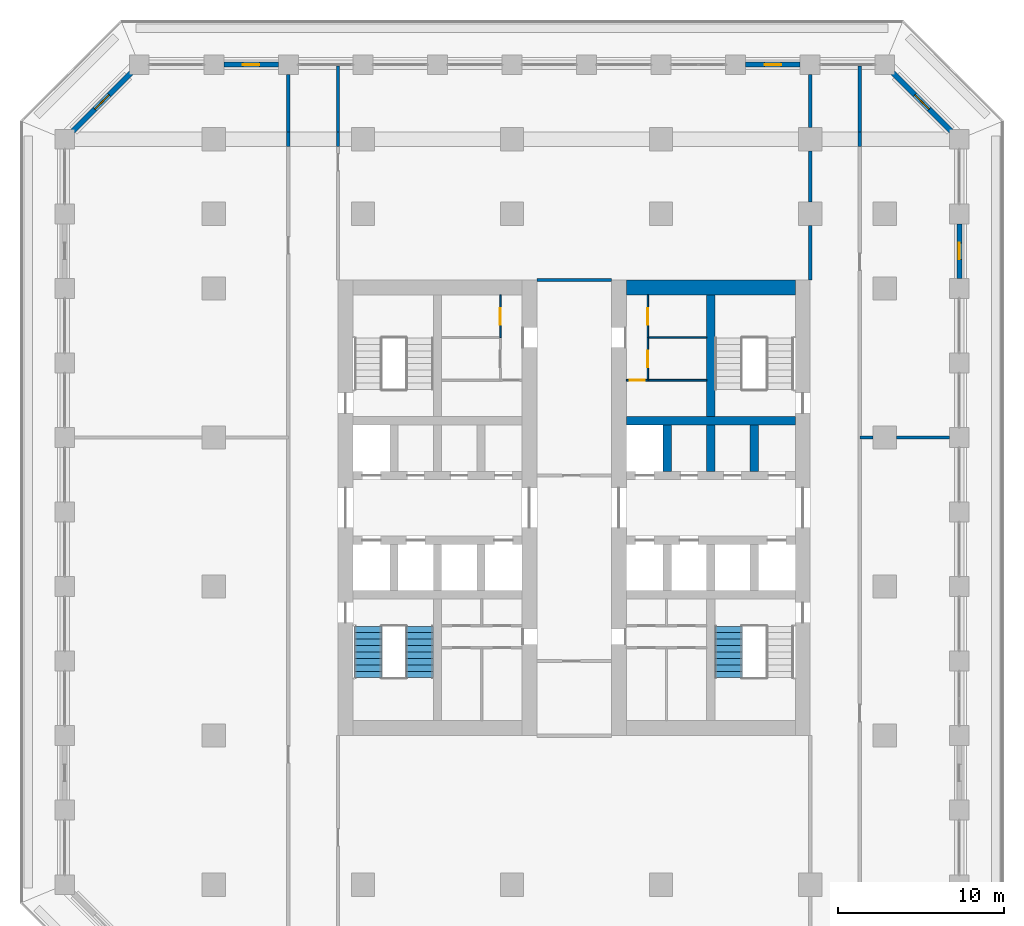
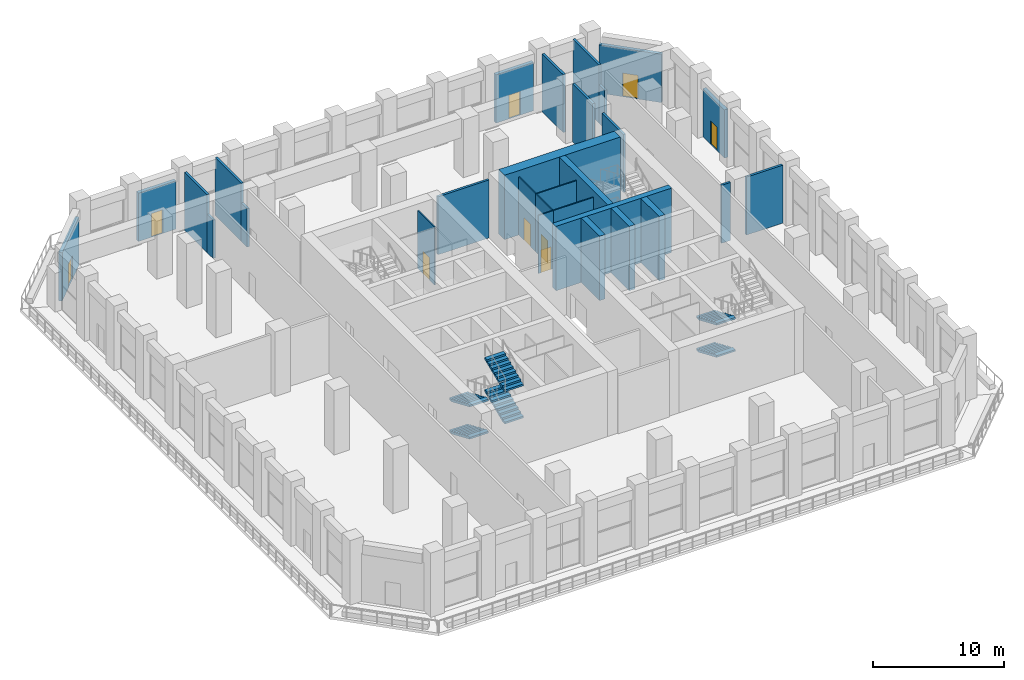
# One storey, part 15 of 24: 29 walls, 9 doors, 6 stair flights, 9 openings, 2 elements without a shape of their own.
"""IFC4 building model written with IfcOpenShell, lengths in metres."""

from ifc_helpers import new_model, si_unit, direction, frame, frame_2d, origin, place, context, subcontext, project, spatial, polyline, rectangle, outline, extrude, material, layer, layer_set, type_object, element, fill, aggregate, save


model = new_model("IFC4")

# Units and contexts
model_context = context("Model", 3, precision=1e-05, world=origin(), true_north=direction((0.0, 1.0)))
body_context = subcontext(model_context, "Body", "Model", "MODEL_VIEW")
ifc_project = project(units=[si_unit("LENGTHUNIT", "METRE"), si_unit("AREAUNIT", "SQUARE_METRE"), si_unit("VOLUMEUNIT", "CUBIC_METRE"), si_unit("PLANEANGLEUNIT", "RADIAN"), si_unit("MASSUNIT", "GRAM", prefix="KILO")], contexts=[model_context])

# Site, building, storey
site_placement = place(None, origin())
site = spatial("IfcSite", under=ifc_project, at=site_placement, CompositionType="ELEMENT")
building_placement = place(site_placement, origin())
building = spatial("IfcBuilding", under=site, at=building_placement, Name="Corbel Stack Research Tower", CompositionType="ELEMENT")
storey_placement = place(building_placement, frame((0.0, 0.0, 145.39990234375)))
storey = spatial("IfcBuildingStorey", under=building, at=storey_placement, Name="L33", CompositionType="ELEMENT", Elevation=145.39990234375)

# Walls
ifc_material_1 = material(Name="Concrete C70/85", Category="concrete")
ifc_layer_1 = layer(ifc_material_1, 0.5)
ifc_layer_set_1 = layer_set([ifc_layer_1], Name="Concrete C70/85")
wall_type_1 = type_object("IfcWallType", Name="CW-500-70", PredefinedType="SHEAR", material=ifc_layer_set_1)
wall_1_placement = place(storey_placement, frame((6.89990234375, 10.0, 0.0), z_axis=(0.0, 0.0, 1.0), x_axis=(1.0, 0.0, 0.0)))
element("IfcWall", 1, at=wall_1_placement, inside=storey, type_object=wall_type_1, Name="East core wall, north row back L33", PredefinedType="SHEAR", context=body_context, shape_type="SweptSolid", body=[
    extrude(rectangle(XDim=10.2001953125, YDim=0.5, at=frame_2d((5.10009765625, 0.0))), origin(), (0.0, 0.0, 1.0), 6.0),
])
for number, where, z_axis, x_axis, name in (
    (2, (9.375, 6.949951171875, 0.0), (0.0, 0.0, 1.0), (0.0, 1.0, 0.0), "East core wall, north shaft 1 L33"),
    (3, (12.0, 6.949951171875, 0.0), (0.0, 0.0, 1.0), (0.0, 1.0, 0.0), "East core wall, north shaft 2 L33"),
    (4, (14.625, 6.949951171875, 0.0), (0.0, 0.0, 1.0), (0.0, 1.0, 0.0), "East core wall, north shaft 3 L33"),
):
    element("IfcWall", number, at=place(storey_placement, frame(where, z_axis=z_axis, x_axis=x_axis)), inside=storey, type_object=wall_type_1, Name=name, PredefinedType="SHEAR", context=body_context, shape_type="SweptSolid", body=[
        extrude(rectangle(XDim=2.800048828125, YDim=0.5, at=frame_2d((1.39990234375, 0.0))), origin(), (0.0, 0.0, 1.0), 6.0),
    ])
wall_2_placement = place(storey_placement, frame((12.0, 10.25, 0.0), z_axis=(0.0, 0.0, 1.0), x_axis=(0.0, 1.0, 0.0)))
element("IfcWall", 5, at=wall_2_placement, inside=storey, type_object=wall_type_1, Name="East core wall, north stair and riser L33", PredefinedType="SHEAR", context=body_context, shape_type="SweptSolid", body=[
    extrude(rectangle(XDim=7.35009765625, YDim=0.5, at=frame_2d((3.675048828125, 0.0))), origin(), (0.0, 0.0, 1.0), 6.0),
])
ifc_material_2 = material(Name="Concrete C70/85", Category="concrete")
ifc_layer_2 = layer(ifc_material_2, 0.89990234375)
ifc_layer_set_2 = layer_set([ifc_layer_2], Name="Concrete C70/85")
wall_type_2 = type_object("IfcWallType", Name="CW-900-70", PredefinedType="SHEAR", material=ifc_layer_set_2)
wall_3_placement = place(storey_placement, frame((6.89990234375, 18.050048828125, 0.0), z_axis=(0.0, 0.0, 1.0), x_axis=(1.0, 0.0, 0.0)))
element("IfcWall", 6, at=wall_3_placement, inside=storey, type_object=wall_type_2, Name="East core wall, north end L33", PredefinedType="SHEAR", context=body_context, shape_type="SweptSolid", body=[
    extrude(rectangle(XDim=10.2001953125, YDim=0.89990234375, at=frame_2d((5.10009765625, 0.0))), origin(), (0.0, 0.0, 1.0), 6.0),
])

# Wall, opening, door
ifc_material_3 = material(Name="Gypsum board")
ifc_layer_3 = layer(ifc_material_3, 0.10009765625)
ifc_layer_set_3 = layer_set([ifc_layer_3], Name="Gypsum board")
wall_type_3 = type_object("IfcWallType", Name="Core partition 100", PredefinedType="PARTITIONING", material=ifc_layer_set_3)
wall_4_placement = place(storey_placement, frame((-0.699951171875, 15.027587890625, 0.0), z_axis=(0.0, 0.0, 1.0), x_axis=(0.0, 1.0, 0.0)))
wall_4 = element("IfcWall", 7, at=wall_4_placement, inside=storey, type_object=wall_type_3, Name="Core partition W", PredefinedType="PARTITIONING", context=body_context, shape_type="SweptSolid", body=[
    extrude(rectangle(XDim=2.572509765625, YDim=0.10009765625, at=frame_2d((1.2861328125, 0.0))), origin(), (0.0, 0.0, 1.0), 5.400146484375),
])
opening_1_placement = place(wall_4_placement, frame((0.7861328125, 0.0, 0.0)))
opening_1 = element("IfcOpeningElement", 8, at=opening_1_placement, cuts=wall_4, Name="Opening CR-W54-R4-1000", PredefinedType="OPENING", context=body_context, shape_type="SweptSolid", body=[
    extrude(rectangle(XDim=1.0, YDim=2.10009765625, at=frame_2d((0.5, 1.050048828125))), frame((0.0, 0.06005859375, 0.0), z_axis=(0.0, -1.0, 0.0), x_axis=(1.0, 0.0, 0.0)), (0.0, 0.0, 1.0), 0.1201171875),
])
ifc_material_4 = material(Name="Painted steel door", Category="steel")
door_type_1 = type_object("IfcDoorType", Name="Service door 1000 x 2100 FD30 right hand", OperationType="SINGLE_SWING_RIGHT", PredefinedType="DOOR", material=ifc_material_4)
door_1_placement = place(opening_1_placement, origin())
door_1 = element("IfcDoor", 9, at=door_1_placement, inside=storey, type_object=door_type_1, Name="Copy and supply store door W core", OperationType="SINGLE_SWING_RIGHT", OverallHeight=2.10009765625, OverallWidth=1.0, PredefinedType="DOOR", context=body_context, shape_type="SweptSolid", body=[
    extrude(rectangle(XDim=1.0, YDim=2.10009765625, at=frame_2d((0.5, 1.050048828125))), frame((0.0, 0.02490234375, 0.0), z_axis=(0.0, -1.0, 0.0), x_axis=(1.0, 0.0, 0.0)), (0.0, 0.0, 1.0), 0.050048828125),
])
fill(opening_1, door_1)

wall_5_placement = place(storey_placement, frame((6.89990234375, 12.455078125, 0.0), z_axis=(0.0, 0.0, 1.0), x_axis=(1.0, 0.0, 0.0)))
wall_5 = element("IfcWall", 10, at=wall_5_placement, inside=storey, type_object=wall_type_3, Name="Core partition E", PredefinedType="PARTITIONING", context=body_context, shape_type="SweptSolid", body=[
    extrude(rectangle(XDim=1.300048828125, YDim=0.10009765625, at=frame_2d((0.64990234375, 0.0))), origin(), (0.0, 0.0, 1.0), 5.400146484375),
])
opening_2_placement = place(wall_5_placement, frame((0.199951171875, 0.0, 0.0)))
opening_2 = element("IfcOpeningElement", 11, at=opening_2_placement, cuts=wall_5, Name="Opening CR-E54-R1-900", PredefinedType="OPENING", context=body_context, shape_type="SweptSolid", body=[
    extrude(rectangle(XDim=0.89990234375, YDim=2.10009765625, at=frame_2d((0.449951171875, 1.050048828125))), frame((0.0, 0.06005859375, 0.0), z_axis=(0.0, -1.0, 0.0), x_axis=(1.0, 0.0, 0.0)), (0.0, 0.0, 1.0), 0.1201171875),
])
ifc_material_5 = material(Name="Painted steel door", Category="steel")
door_type_2 = type_object("IfcDoorType", Name="Riser door 900 x 2100 FD60 right hand", OperationType="SINGLE_SWING_RIGHT", PredefinedType="DOOR", material=ifc_material_5)
door_2_placement = place(opening_2_placement, origin())
door_2 = element("IfcDoor", 12, at=door_2_placement, inside=storey, type_object=door_type_2, Name="Electrical riser door E core", OperationType="SINGLE_SWING_RIGHT", OverallHeight=2.10009765625, OverallWidth=0.89990234375, PredefinedType="DOOR", context=body_context, shape_type="SweptSolid", body=[
    extrude(rectangle(XDim=0.89990234375, YDim=2.10009765625, at=frame_2d((0.449951171875, 1.050048828125))), frame((0.0, 0.02490234375, 0.0), z_axis=(0.0, -1.0, 0.0), x_axis=(1.0, 0.0, 0.0)), (0.0, 0.0, 1.0), 0.050048828125),
])
fill(opening_2, door_2)

# Wall
wall_6_placement = place(storey_placement, frame((8.199951171875, 12.455078125, 0.0), z_axis=(0.0, 0.0, 1.0), x_axis=(1.0, 0.0, 0.0)))
element("IfcWall", 13, at=wall_6_placement, inside=storey, type_object=wall_type_3, Name="Core partition E", PredefinedType="PARTITIONING", context=body_context, shape_type="SweptSolid", body=[
    extrude(rectangle(XDim=3.550048828125, YDim=0.10009765625, at=frame_2d((1.77490234375, 0.0))), origin(), (0.0, 0.0, 1.0), 5.400146484375),
])

# Wall, opening, door
wall_7_placement = place(storey_placement, frame((8.199951171875, 12.455078125, 0.0), z_axis=(0.0, 0.0, 1.0), x_axis=(0.0, 1.0, 0.0)))
wall_7 = element("IfcWall", 14, at=wall_7_placement, inside=storey, type_object=wall_type_3, Name="Core partition E", PredefinedType="PARTITIONING", context=body_context, shape_type="SweptSolid", body=[
    extrude(rectangle(XDim=2.572509765625, YDim=0.10009765625, at=frame_2d((1.2861328125, 0.0))), origin(), (0.0, 0.0, 1.0), 5.400146484375),
])
opening_3_placement = place(wall_7_placement, frame((0.786376953125, 0.0, 0.0)))
opening_3 = element("IfcOpeningElement", 15, at=opening_3_placement, cuts=wall_7, Name="Opening CR-E54-R3-1000", PredefinedType="OPENING", context=body_context, shape_type="SweptSolid", body=[
    extrude(rectangle(XDim=1.0, YDim=2.10009765625, at=frame_2d((0.5, 1.050048828125))), frame((0.0, 0.06005859375, 0.0), z_axis=(0.0, -1.0, 0.0), x_axis=(1.0, 0.0, 0.0)), (0.0, 0.0, 1.0), 0.1201171875),
])
door_3_placement = place(opening_3_placement, origin())
door_3 = element("IfcDoor", 16, at=door_3_placement, inside=storey, type_object=door_type_1, Name="Pantry door E core", OperationType="SINGLE_SWING_RIGHT", OverallHeight=2.10009765625, OverallWidth=1.0, PredefinedType="DOOR", context=body_context, shape_type="SweptSolid", body=[
    extrude(rectangle(XDim=1.0, YDim=2.10009765625, at=frame_2d((0.5, 1.050048828125))), frame((0.0, 0.02490234375, 0.0), z_axis=(0.0, -1.0, 0.0), x_axis=(1.0, 0.0, 0.0)), (0.0, 0.0, 1.0), 0.050048828125),
])
fill(opening_3, door_3)

wall_8_placement = place(storey_placement, frame((8.199951171875, 15.027587890625, 0.0), z_axis=(0.0, 0.0, 1.0), x_axis=(0.0, 1.0, 0.0)))
wall_8 = element("IfcWall", 17, at=wall_8_placement, inside=storey, type_object=wall_type_3, Name="Core partition E", PredefinedType="PARTITIONING", context=body_context, shape_type="SweptSolid", body=[
    extrude(rectangle(XDim=2.572509765625, YDim=0.10009765625, at=frame_2d((1.2861328125, 0.0))), origin(), (0.0, 0.0, 1.0), 5.400146484375),
])
opening_4_placement = place(wall_8_placement, frame((0.7861328125, 0.0, 0.0)))
opening_4 = element("IfcOpeningElement", 18, at=opening_4_placement, cuts=wall_8, Name="Opening CR-E54-R4-1000", PredefinedType="OPENING", context=body_context, shape_type="SweptSolid", body=[
    extrude(rectangle(XDim=1.0, YDim=2.10009765625, at=frame_2d((0.5, 1.050048828125))), frame((0.0, 0.06005859375, 0.0), z_axis=(0.0, -1.0, 0.0), x_axis=(1.0, 0.0, 0.0)), (0.0, 0.0, 1.0), 0.1201171875),
])
ifc_material_6 = material(Name="Painted steel door", Category="steel")
door_type_3 = type_object("IfcDoorType", Name="Service door 1000 x 2100 FD30 left hand", OperationType="SINGLE_SWING_LEFT", PredefinedType="DOOR", material=ifc_material_6)
door_4_placement = place(opening_4_placement, origin())
door_4 = element("IfcDoor", 19, at=door_4_placement, inside=storey, type_object=door_type_3, Name="Copy and supply store door E core", OperationType="SINGLE_SWING_LEFT", OverallHeight=2.10009765625, OverallWidth=1.0, PredefinedType="DOOR", context=body_context, shape_type="SweptSolid", body=[
    extrude(rectangle(XDim=1.0, YDim=2.10009765625, at=frame_2d((0.5, 1.050048828125))), frame((0.0, 0.02490234375, 0.0), z_axis=(0.0, -1.0, 0.0), x_axis=(1.0, 0.0, 0.0)), (0.0, 0.0, 1.0), 0.050048828125),
])
fill(opening_4, door_4)

# Walls
wall_9_placement = place(storey_placement, frame((8.199951171875, 15.027587890625, 0.0), z_axis=(0.0, 0.0, 1.0), x_axis=(1.0, 0.0, 0.0)))
element("IfcWall", 20, at=wall_9_placement, inside=storey, type_object=wall_type_3, Name="Core partition E", PredefinedType="PARTITIONING", context=body_context, shape_type="SweptSolid", body=[
    extrude(rectangle(XDim=3.550048828125, YDim=0.10009765625, at=frame_2d((1.77490234375, 0.0))), origin(), (0.0, 0.0, 1.0), 5.400146484375),
])
ifc_material_7 = material(Name="Fire-rated gypsum board partition on steel studs", Category="steel")
ifc_layer_4 = layer(ifc_material_7, 0.199951171875)
ifc_layer_set_4 = layer_set([ifc_layer_4], Name="Fire-rated gypsum board partition on steel studs")
wall_type_4 = type_object("IfcWallType", Name="Fire-rated partition 200 EI 60", PredefinedType="PARTITIONING", material=ifc_layer_set_4)
wall_10_placement = place(storey_placement, frame((-13.5, 26.550048828125, 0.0), z_axis=(0.0, 0.0, 1.0), x_axis=(0.0, 1.0, 0.0)))
element("IfcWall", 21, at=wall_10_placement, inside=storey, type_object=wall_type_4, Name="Partition L33-002", PredefinedType="PARTITIONING", context=body_context, shape_type="SweptSolid", body=[
    extrude(rectangle(XDim=0.89990234375, YDim=0.199951171875, at=frame_2d((0.449951171875, 0.0))), origin(), (0.0, 0.0, 1.0), 3.570068359375),
])
wall_11_placement = place(storey_placement, frame((-13.5, 27.449951171875, 0.0), z_axis=(0.0, 0.0, 1.0), x_axis=(0.0, 1.0, 0.0)))
element("IfcWall", 22, at=wall_11_placement, inside=storey, type_object=wall_type_4, Name="Partition L33-003", PredefinedType="PARTITIONING", context=body_context, shape_type="SweptSolid", body=[
    extrude(rectangle(XDim=3.449951171875, YDim=0.199951171875, at=frame_2d((1.72509765625, 0.0))), origin(), (0.0, 0.0, 1.0), 5.400146484375),
])
wall_12_placement = place(storey_placement, frame((-10.5, 26.550048828125, 0.0), z_axis=(0.0, 0.0, 1.0), x_axis=(0.0, 1.0, 0.0)))
element("IfcWall", 23, at=wall_12_placement, inside=storey, type_object=wall_type_4, Name="Partition L33-006", PredefinedType="PARTITIONING", context=body_context, shape_type="SweptSolid", body=[
    extrude(rectangle(XDim=0.89990234375, YDim=0.199951171875, at=frame_2d((0.449951171875, 0.0))), origin(), (0.0, 0.0, 1.0), 3.570068359375),
])
wall_13_placement = place(storey_placement, frame((-10.5, 27.449951171875, 0.0), z_axis=(0.0, 0.0, 1.0), x_axis=(0.0, 1.0, 0.0)))
element("IfcWall", 24, at=wall_13_placement, inside=storey, type_object=wall_type_4, Name="Partition L33-007", PredefinedType="PARTITIONING", context=body_context, shape_type="SweptSolid", body=[
    extrude(rectangle(XDim=3.969970703125, YDim=0.199951171875, at=frame_2d((1.98486328125, 0.0))), origin(), (0.0, 0.0, 1.0), 5.400146484375),
])
wall_14_placement = place(storey_placement, frame((18.0, 18.5, 0.0), z_axis=(0.0, 0.0, 1.0), x_axis=(0.0, 1.0, 0.0)))
element("IfcWall", 25, at=wall_14_placement, inside=storey, type_object=wall_type_4, Name="Partition L33-010", PredefinedType="PARTITIONING", context=body_context, shape_type="SweptSolid", body=[
    extrude(rectangle(XDim=3.300048828125, YDim=0.199951171875, at=frame_2d((1.64990234375, 0.0))), origin(), (0.0, 0.0, 1.0), 5.400146484375),
])
wall_15_placement = place(storey_placement, frame((18.0, 23.199951171875, 0.0), z_axis=(0.0, 0.0, 1.0), x_axis=(0.0, 1.0, 0.0)))
element("IfcWall", 26, at=wall_15_placement, inside=storey, type_object=wall_type_4, Name="Partition L33-011", PredefinedType="PARTITIONING", context=body_context, shape_type="SweptSolid", body=[
    extrude(rectangle(XDim=3.10009765625, YDim=0.199951171875, at=frame_2d((1.550048828125, 0.0))), origin(), (0.0, 0.0, 1.0), 5.400146484375),
])
wall_16_placement = place(storey_placement, frame((18.0, 27.699951171875, 0.0), z_axis=(0.0, 0.0, 1.0), x_axis=(0.0, 1.0, 0.0)))
element("IfcWall", 27, at=wall_16_placement, inside=storey, type_object=wall_type_4, Name="Partition L33-012", PredefinedType="PARTITIONING", context=body_context, shape_type="SweptSolid", body=[
    extrude(rectangle(XDim=3.199951171875, YDim=0.199951171875, at=frame_2d((1.60009765625, 0.0))), origin(), (0.0, 0.0, 1.0), 5.400146484375),
])
wall_17_placement = place(storey_placement, frame((21.0, 26.550048828125, 0.0), z_axis=(0.0, 0.0, 1.0), x_axis=(0.0, 1.0, 0.0)))
element("IfcWall", 28, at=wall_17_placement, inside=storey, type_object=wall_type_4, Name="Partition L33-014", PredefinedType="PARTITIONING", context=body_context, shape_type="SweptSolid", body=[
    extrude(rectangle(XDim=0.89990234375, YDim=0.199951171875, at=frame_2d((0.449951171875, 0.0))), origin(), (0.0, 0.0, 1.0), 3.570068359375),
])
wall_18_placement = place(storey_placement, frame((21.0, 27.449951171875, 0.0), z_axis=(0.0, 0.0, 1.0), x_axis=(0.0, 1.0, 0.0)))
element("IfcWall", 29, at=wall_18_placement, inside=storey, type_object=wall_type_4, Name="Partition L33-015", PredefinedType="PARTITIONING", context=body_context, shape_type="SweptSolid", body=[
    extrude(rectangle(XDim=3.969970703125, YDim=0.199951171875, at=frame_2d((1.98486328125, 0.0))), origin(), (0.0, 0.0, 1.0), 5.400146484375),
])
wall_19_placement = place(storey_placement, frame((21.0, 9.0, 0.0), z_axis=(0.0, 0.0, 1.0), x_axis=(1.0, 0.0, 0.0)))
element("IfcWall", 30, at=wall_19_placement, inside=storey, type_object=wall_type_4, Name="Partition L33-021", PredefinedType="PARTITIONING", context=body_context, shape_type="SweptSolid", body=[
    extrude(rectangle(XDim=0.800048828125, YDim=0.199951171875, at=frame_2d((0.39990234375, 0.0))), origin(), (0.0, 0.0, 1.0), 5.400146484375),
])
wall_20_placement = place(storey_placement, frame((23.199951171875, 9.0, 0.0), z_axis=(0.0, 0.0, 1.0), x_axis=(1.0, 0.0, 0.0)))
element("IfcWall", 31, at=wall_20_placement, inside=storey, type_object=wall_type_4, Name="Partition L33-022", PredefinedType="PARTITIONING", context=body_context, shape_type="SweptSolid", body=[
    extrude(rectangle(XDim=3.199951171875, YDim=0.199951171875, at=frame_2d((1.60009765625, 0.0))), origin(), (0.0, 0.0, 1.0), 5.400146484375),
])
wall_21_placement = place(storey_placement, frame((1.5, 18.5, 0.0), z_axis=(0.0, 0.0, 1.0), x_axis=(1.0, 0.0, 0.0)))
element("IfcWall", 32, at=wall_21_placement, inside=storey, type_object=wall_type_4, Name="Partition L33-023", PredefinedType="PARTITIONING", context=body_context, shape_type="SweptSolid", body=[
    extrude(rectangle(XDim=4.5, YDim=0.199951171875, at=frame_2d((2.25, 0.0))), origin(), (0.0, 0.0, 1.0), 5.400146484375),
])

# Wall, opening, door
ifc_material_8 = material(Name="Concrete C45/55", Category="concrete")
ifc_layer_5 = layer(ifc_material_8, 0.300048828125)
ifc_layer_set_5 = layer_set([ifc_layer_5], Name="Concrete C45/55")
wall_type_5 = type_object("IfcWallType", Name="Terracotta-faced concrete wall 300", PredefinedType="SOLIDWALL", material=ifc_layer_set_5)
wall_22_placement = place(storey_placement, frame((27.0, 21.89990234375, 0.0), z_axis=(0.0, 0.0, 1.0), x_axis=(0.0, -1.0, 0.0)))
wall_22 = element("IfcWall", 33, at=wall_22_placement, inside=storey, type_object=wall_type_5, Name="Facade wall L33 E09", PredefinedType="SOLIDWALL", context=body_context, shape_type="SweptSolid", body=[
    extrude(rectangle(XDim=3.2998046875, YDim=0.300048828125, at=frame_2d((1.64990234375, 0.0))), origin(), (0.0, 0.0, 1.0), 4.5),
])
opening_5_placement = place(wall_22_placement, frame((1.14990234375, 0.0, 0.0)))
opening_5 = element("IfcOpeningElement", 34, at=opening_5_placement, cuts=wall_22, Name="Opening L33-B05", PredefinedType="OPENING", context=body_context, shape_type="SweptSolid", body=[
    extrude(rectangle(XDim=1.0, YDim=2.199951171875, at=frame_2d((0.5, 1.10009765625))), frame((0.0, 0.159912109375, 0.0), z_axis=(0.0, -1.0, 0.0), x_axis=(1.0, 0.0, 0.0)), (0.0, 0.0, 1.0), 0.320068359375),
])
ifc_material_9 = material(Name="Aluminium frame, clear double glazing", Category="aluminium")
door_type_4 = type_object("IfcDoorType", Name="Balcony door BD1 1000 x 2200", OperationType="NOTDEFINED", PredefinedType="DOOR", material=ifc_material_9)
door_5_placement = place(opening_5_placement, origin())
door_5 = element("IfcDoor", 35, at=door_5_placement, inside=storey, type_object=door_type_4, Name="Balcony door L33-B05", OperationType="SINGLE_SWING_RIGHT", OverallHeight=2.199951171875, OverallWidth=1.0, PredefinedType="DOOR", context=body_context, shape_type="SweptSolid", body=[
    extrude(rectangle(XDim=1.0, YDim=2.199951171875, at=frame_2d((0.5, 1.10009765625))), frame((0.0, 0.02490234375, 0.0), z_axis=(0.0, -1.0, 0.0), x_axis=(1.0, 0.0, 0.0)), (0.0, 0.0, 1.0), 0.050048828125),
])
fill(opening_5, door_5)

wall_23_placement = place(storey_placement, frame((22.993896484375, 31.006103515625, 0.0), z_axis=(0.0, 0.0, 1.0), x_axis=(0.707106781187, -0.707106781187, 0.0)))
wall_23 = element("IfcWall", 36, at=wall_23_placement, inside=storey, type_object=wall_type_5, Name="Facade wall L33 NE01", PredefinedType="SOLIDWALL", context=body_context, shape_type="SweptSolid", body=[
    extrude(rectangle(XDim=4.967041015625, YDim=0.300048828125, at=frame_2d((2.4833984375, 0.0))), origin(), (0.0, 0.0, 1.0), 4.5),
])
opening_6_placement = place(wall_23_placement, frame((1.883544921875, 0.0, 0.0)))
opening_6 = element("IfcOpeningElement", 37, at=opening_6_placement, cuts=wall_23, Name="Opening L33-B06", PredefinedType="OPENING", context=body_context, shape_type="SweptSolid", body=[
    extrude(rectangle(XDim=1.199951171875, YDim=2.199951171875, at=frame_2d((0.60009765625, 1.10009765625))), frame((0.0, 0.159912109375, 0.0), z_axis=(0.0, -1.0, 0.0), x_axis=(1.0, 0.0, 0.0)), (0.0, 0.0, 1.0), 0.320068359375),
])
ifc_material_10 = material(Name="Aluminium frame, clear double glazing", Category="aluminium")
door_type_5 = type_object("IfcDoorType", Name="Balcony door BD2 1200 x 2200", OperationType="NOTDEFINED", PredefinedType="DOOR", material=ifc_material_10)
door_6_placement = place(opening_6_placement, origin())
door_6 = element("IfcDoor", 38, at=door_6_placement, inside=storey, type_object=door_type_5, Name="Balcony door L33-B06", OperationType="SINGLE_SWING_RIGHT", OverallHeight=2.199951171875, OverallWidth=1.199951171875, PredefinedType="DOOR", context=body_context, shape_type="SweptSolid", body=[
    extrude(rectangle(XDim=1.199951171875, YDim=2.199951171875, at=frame_2d((0.60009765625, 1.10009765625))), frame((0.0, 0.02490234375, 0.0), z_axis=(0.0, -1.0, 0.0), x_axis=(1.0, 0.0, 0.0)), (0.0, 0.0, 1.0), 0.050048828125),
])
fill(opening_6, door_6)

wall_24_placement = place(storey_placement, frame((14.10009765625, 31.5, 0.0), z_axis=(0.0, 0.0, 1.0), x_axis=(1.0, 0.0, 0.0)))
wall_24 = element("IfcWall", 39, at=wall_24_placement, inside=storey, type_object=wall_type_5, Name="Facade wall L33 N02", PredefinedType="SOLIDWALL", context=body_context, shape_type="SweptSolid", body=[
    extrude(rectangle(XDim=3.2998046875, YDim=0.300048828125, at=frame_2d((1.64990234375, 0.0))), origin(), (0.0, 0.0, 1.0), 4.5),
])
opening_7_placement = place(wall_24_placement, frame((1.14990234375, 0.0, 0.0)))
opening_7 = element("IfcOpeningElement", 40, at=opening_7_placement, cuts=wall_24, Name="Opening L33-B07", PredefinedType="OPENING", context=body_context, shape_type="SweptSolid", body=[
    extrude(rectangle(XDim=1.0, YDim=2.199951171875, at=frame_2d((0.5, 1.10009765625))), frame((0.0, 0.159912109375, 0.0), z_axis=(0.0, -1.0, 0.0), x_axis=(1.0, 0.0, 0.0)), (0.0, 0.0, 1.0), 0.320068359375),
])
door_7_placement = place(opening_7_placement, origin())
door_7 = element("IfcDoor", 41, at=door_7_placement, inside=storey, type_object=door_type_4, Name="Balcony door L33-B07", OperationType="SINGLE_SWING_LEFT", OverallHeight=2.199951171875, OverallWidth=1.0, PredefinedType="DOOR", context=body_context, shape_type="SweptSolid", body=[
    extrude(rectangle(XDim=1.0, YDim=2.199951171875, at=frame_2d((0.5, 1.10009765625))), frame((0.0, 0.02490234375, 0.0), z_axis=(0.0, -1.0, 0.0), x_axis=(1.0, 0.0, 0.0)), (0.0, 0.0, 1.0), 0.050048828125),
])
fill(opening_7, door_7)

wall_25_placement = place(storey_placement, frame((-17.39990234375, 31.5, 0.0), z_axis=(0.0, 0.0, 1.0), x_axis=(1.0, 0.0, 0.0)))
wall_25 = element("IfcWall", 42, at=wall_25_placement, inside=storey, type_object=wall_type_5, Name="Facade wall L33 N09", PredefinedType="SOLIDWALL", context=body_context, shape_type="SweptSolid", body=[
    extrude(rectangle(XDim=3.2998046875, YDim=0.300048828125, at=frame_2d((1.64990234375, 0.0))), origin(), (0.0, 0.0, 1.0), 4.5),
])
opening_8_placement = place(wall_25_placement, frame((1.14990234375, 0.0, 0.0)))
opening_8 = element("IfcOpeningElement", 43, at=opening_8_placement, cuts=wall_25, Name="Opening L33-B08", PredefinedType="OPENING", context=body_context, shape_type="SweptSolid", body=[
    extrude(rectangle(XDim=1.0, YDim=2.199951171875, at=frame_2d((0.5, 1.10009765625))), frame((0.0, 0.159912109375, 0.0), z_axis=(0.0, -1.0, 0.0), x_axis=(1.0, 0.0, 0.0)), (0.0, 0.0, 1.0), 0.320068359375),
])
door_8_placement = place(opening_8_placement, origin())
door_8 = element("IfcDoor", 44, at=door_8_placement, inside=storey, type_object=door_type_4, Name="Balcony door L33-B08", OperationType="SINGLE_SWING_RIGHT", OverallHeight=2.199951171875, OverallWidth=1.0, PredefinedType="DOOR", context=body_context, shape_type="SweptSolid", body=[
    extrude(rectangle(XDim=1.0, YDim=2.199951171875, at=frame_2d((0.5, 1.10009765625))), frame((0.0, 0.02490234375, 0.0), z_axis=(0.0, -1.0, 0.0), x_axis=(1.0, 0.0, 0.0)), (0.0, 0.0, 1.0), 0.050048828125),
])
fill(opening_8, door_8)

wall_26_placement = place(storey_placement, frame((-26.506103515625, 27.493896484375, 0.0), z_axis=(0.0, 0.0, 1.0), x_axis=(0.707106781187, 0.707106781187, 0.0)))
wall_26 = element("IfcWall", 45, at=wall_26_placement, inside=storey, type_object=wall_type_5, Name="Facade wall L33 NW01", PredefinedType="SOLIDWALL", context=body_context, shape_type="SweptSolid", body=[
    extrude(rectangle(XDim=4.967041015625, YDim=0.300048828125, at=frame_2d((2.4833984375, 0.0))), origin(), (0.0, 0.0, 1.0), 4.5),
])
opening_9_placement = place(wall_26_placement, frame((1.883544921875, 0.0, 0.0)))
opening_9 = element("IfcOpeningElement", 46, at=opening_9_placement, cuts=wall_26, Name="Opening L33-B09", PredefinedType="OPENING", context=body_context, shape_type="SweptSolid", body=[
    extrude(rectangle(XDim=1.199951171875, YDim=2.199951171875, at=frame_2d((0.60009765625, 1.10009765625))), frame((0.0, 0.159912109375, 0.0), z_axis=(0.0, -1.0, 0.0), x_axis=(1.0, 0.0, 0.0)), (0.0, 0.0, 1.0), 0.320068359375),
])
door_9_placement = place(opening_9_placement, origin())
door_9 = element("IfcDoor", 47, at=door_9_placement, inside=storey, type_object=door_type_5, Name="Balcony door L33-B09", OperationType="SINGLE_SWING_RIGHT", OverallHeight=2.199951171875, OverallWidth=1.199951171875, PredefinedType="DOOR", context=body_context, shape_type="SweptSolid", body=[
    extrude(rectangle(XDim=1.199951171875, YDim=2.199951171875, at=frame_2d((0.60009765625, 1.10009765625))), frame((0.0, 0.02490234375, 0.0), z_axis=(0.0, -1.0, 0.0), x_axis=(1.0, 0.0, 0.0)), (0.0, 0.0, 1.0), 0.050048828125),
])
fill(opening_9, door_9)

# Stair, stair flights
ifc_material_11 = material(Name="Concrete C40/50", Category="concrete")
stair_type = type_object("IfcStairType", Name="Exit stair 36 risers, 388 going", PredefinedType="HALF_TURN_STAIR", material=ifc_material_11)
stair_1_placement = place(storey_placement, origin())
stair_1 = element("IfcStair", 48, at=stair_1_placement, inside=storey, type_object=stair_type, Name="L33 Exit stair ST-W1", PredefinedType="HALF_TURN_STAIR")
ifc_material_12 = material(Name="Concrete C40/50", Category="concrete")
stair_flight_type = type_object("IfcStairFlightType", Name="Stair flight 9 risers, 388 going", PredefinedType="STRAIGHT", material=ifc_material_12)
stair_flight_1_placement = place(storey_placement, frame((-8.675048828125, -2.39990234375, 0.0), z_axis=(0.0, 0.0, 1.0), x_axis=(0.0, -1.0, 0.0)))
stair_flight_1 = element("IfcStairFlight", 49, at=stair_flight_1_placement, type_object=stair_flight_type, Name="ST-W1 flight 1", NumberOfRisers=9, NumberOfTreads=8, PredefinedType="STRAIGHT", RiserHeight=0.166666667, TreadLength=0.388, context=body_context, shape_type="SweptSolid", body=[
    extrude(outline(polyline([(0.0, 0.0), (0.0, 0.166748046875), (0.387939453125, 0.166748046875), (0.387939453125, 0.333251953125), (0.77587890625, 0.333251953125), (0.77587890625, 0.5), (1.1640625, 0.5), (1.1640625, 0.666748046875), (1.552001953125, 0.666748046875), (1.552001953125, 0.833251953125), (1.93994140625, 0.833251953125), (1.93994140625, 1.0), (2.327880859375, 1.0), (2.327880859375, 1.166748046875), (2.716064453125, 1.166748046875), (2.716064453125, 1.333251953125), (3.10400390625, 1.333251953125), (3.10400390625, 1.5), (3.10400390625, 1.170166015625), (0.3798828125, 0.0), (0.0, 0.0)])), frame((0.0, 0.824951171875, 0.0), z_axis=(0.0, -1.0, 0.0), x_axis=(1.0, 0.0, 0.0)), (0.0, 0.0, 1.0), 1.64990234375),
])
stair_flight_2_placement = place(storey_placement, frame((-5.574951171875, -5.50390625, 1.5), z_axis=(0.0, 0.0, 1.0), x_axis=(0.0, 1.0, 0.0)))
stair_flight_2 = element("IfcStairFlight", 50, at=stair_flight_2_placement, type_object=stair_flight_type, Name="ST-W1 flight 2", NumberOfRisers=9, NumberOfTreads=8, PredefinedType="STRAIGHT", RiserHeight=0.166666667, TreadLength=0.388, context=body_context, shape_type="SweptSolid", body=[
    extrude(outline(polyline([(0.0, 0.0), (0.0, 0.166748046875), (0.387939453125, 0.166748046875), (0.387939453125, 0.333251953125), (0.77587890625, 0.333251953125), (0.77587890625, 0.5), (1.1640625, 0.5), (1.1640625, 0.666748046875), (1.552001953125, 0.666748046875), (1.552001953125, 0.833251953125), (1.93994140625, 0.833251953125), (1.93994140625, 1.0), (2.327880859375, 1.0), (2.327880859375, 1.166748046875), (2.716064453125, 1.166748046875), (2.716064453125, 1.333251953125), (3.10400390625, 1.333251953125), (3.10400390625, 1.5), (3.10400390625, 1.170166015625), (0.3798828125, 0.0), (0.0, 0.0)])), frame((0.0, 0.824951171875, 0.0), z_axis=(0.0, -1.0, 0.0), x_axis=(1.0, 0.0, 0.0)), (0.0, 0.0, 1.0), 1.64990234375),
])
stair_flight_3_placement = place(storey_placement, frame((-8.675048828125, -2.39990234375, 3.0), z_axis=(0.0, 0.0, 1.0), x_axis=(0.0, -1.0, 0.0)))
stair_flight_3 = element("IfcStairFlight", 51, at=stair_flight_3_placement, type_object=stair_flight_type, Name="ST-W1 flight 3", NumberOfRisers=9, NumberOfTreads=8, PredefinedType="STRAIGHT", RiserHeight=0.166666667, TreadLength=0.388, context=body_context, shape_type="SweptSolid", body=[
    extrude(outline(polyline([(0.0, 0.0), (0.0, 0.166748046875), (0.387939453125, 0.166748046875), (0.387939453125, 0.333251953125), (0.77587890625, 0.333251953125), (0.77587890625, 0.5), (1.1640625, 0.5), (1.1640625, 0.666748046875), (1.552001953125, 0.666748046875), (1.552001953125, 0.833251953125), (1.93994140625, 0.833251953125), (1.93994140625, 1.0), (2.327880859375, 1.0), (2.327880859375, 1.166748046875), (2.716064453125, 1.166748046875), (2.716064453125, 1.333251953125), (3.10400390625, 1.333251953125), (3.10400390625, 1.5), (3.10400390625, 1.170166015625), (0.3798828125, 0.0), (0.0, 0.0)])), frame((0.0, 0.824951171875, 0.0), z_axis=(0.0, -1.0, 0.0), x_axis=(1.0, 0.0, 0.0)), (0.0, 0.0, 1.0), 1.64990234375),
])
stair_flight_4_placement = place(storey_placement, frame((-5.574951171875, -5.50390625, 4.5), z_axis=(0.0, 0.0, 1.0), x_axis=(0.0, 1.0, 0.0)))
stair_flight_4 = element("IfcStairFlight", 52, at=stair_flight_4_placement, type_object=stair_flight_type, Name="ST-W1 flight 4", NumberOfRisers=9, NumberOfTreads=8, PredefinedType="STRAIGHT", RiserHeight=0.166666667, TreadLength=0.388, context=body_context, shape_type="SweptSolid", body=[
    extrude(outline(polyline([(0.0, 0.0), (0.0, 0.166748046875), (0.387939453125, 0.166748046875), (0.387939453125, 0.333251953125), (0.77587890625, 0.333251953125), (0.77587890625, 0.5), (1.1640625, 0.5), (1.1640625, 0.666748046875), (1.552001953125, 0.666748046875), (1.552001953125, 0.833251953125), (1.93994140625, 0.833251953125), (1.93994140625, 1.0), (2.327880859375, 1.0), (2.327880859375, 1.166748046875), (2.716064453125, 1.166748046875), (2.716064453125, 1.333251953125), (3.10400390625, 1.333251953125), (3.10400390625, 1.5), (3.10400390625, 1.170166015625), (0.3798828125, 0.0), (0.0, 0.0)])), frame((0.0, 0.824951171875, 0.0), z_axis=(0.0, -1.0, 0.0), x_axis=(1.0, 0.0, 0.0)), (0.0, 0.0, 1.0), 1.64990234375),
])
aggregate(stair_1, [stair_flight_1, stair_flight_2, stair_flight_3, stair_flight_4])

stair_2_placement = place(storey_placement, origin())
stair_2 = element("IfcStair", 53, at=stair_2_placement, inside=storey, type_object=stair_type, Name="L33 Exit stair ST-E1", PredefinedType="HALF_TURN_STAIR")
stair_flight_5_placement = place(storey_placement, frame((13.074951171875, -2.39990234375, 0.0), z_axis=(0.0, 0.0, 1.0), x_axis=(0.0, -1.0, 0.0)))
stair_flight_5 = element("IfcStairFlight", 54, at=stair_flight_5_placement, type_object=stair_flight_type, Name="ST-E1 flight 1", NumberOfRisers=9, NumberOfTreads=8, PredefinedType="STRAIGHT", RiserHeight=0.166666667, TreadLength=0.388, context=body_context, shape_type="SweptSolid", body=[
    extrude(outline(polyline([(0.0, 0.0), (0.0, 0.166748046875), (0.387939453125, 0.166748046875), (0.387939453125, 0.333251953125), (0.77587890625, 0.333251953125), (0.77587890625, 0.5), (1.1640625, 0.5), (1.1640625, 0.666748046875), (1.552001953125, 0.666748046875), (1.552001953125, 0.833251953125), (1.93994140625, 0.833251953125), (1.93994140625, 1.0), (2.327880859375, 1.0), (2.327880859375, 1.166748046875), (2.716064453125, 1.166748046875), (2.716064453125, 1.333251953125), (3.10400390625, 1.333251953125), (3.10400390625, 1.5), (3.10400390625, 1.170166015625), (0.3798828125, 0.0), (0.0, 0.0)])), frame((0.0, 0.824951171875, 0.0), z_axis=(0.0, -1.0, 0.0), x_axis=(1.0, 0.0, 0.0)), (0.0, 0.0, 1.0), 1.64990234375),
])
stair_flight_6_placement = place(storey_placement, frame((13.074951171875, -2.39990234375, 3.0), z_axis=(0.0, 0.0, 1.0), x_axis=(0.0, -1.0, 0.0)))
stair_flight_6 = element("IfcStairFlight", 55, at=stair_flight_6_placement, type_object=stair_flight_type, Name="ST-E1 flight 3", NumberOfRisers=9, NumberOfTreads=8, PredefinedType="STRAIGHT", RiserHeight=0.166666667, TreadLength=0.388, context=body_context, shape_type="SweptSolid", body=[
    extrude(outline(polyline([(0.0, 0.0), (0.0, 0.166748046875), (0.387939453125, 0.166748046875), (0.387939453125, 0.333251953125), (0.77587890625, 0.333251953125), (0.77587890625, 0.5), (1.1640625, 0.5), (1.1640625, 0.666748046875), (1.552001953125, 0.666748046875), (1.552001953125, 0.833251953125), (1.93994140625, 0.833251953125), (1.93994140625, 1.0), (2.327880859375, 1.0), (2.327880859375, 1.166748046875), (2.716064453125, 1.166748046875), (2.716064453125, 1.333251953125), (3.10400390625, 1.333251953125), (3.10400390625, 1.5), (3.10400390625, 1.170166015625), (0.3798828125, 0.0), (0.0, 0.0)])), frame((0.0, 0.824951171875, 0.0), z_axis=(0.0, -1.0, 0.0), x_axis=(1.0, 0.0, 0.0)), (0.0, 0.0, 1.0), 1.64990234375),
])
aggregate(stair_2, [stair_flight_5, stair_flight_6])

save(model, "model.ifc")
